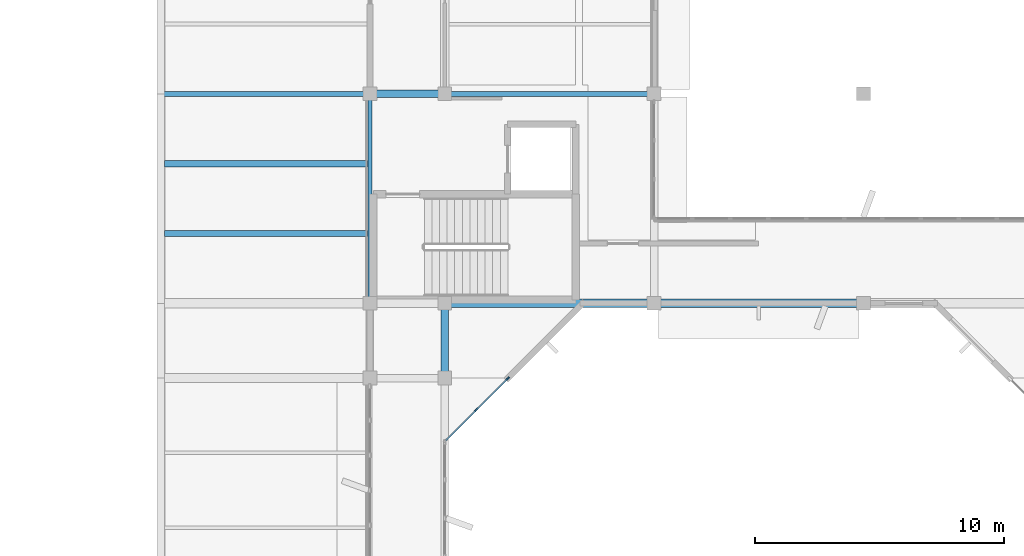
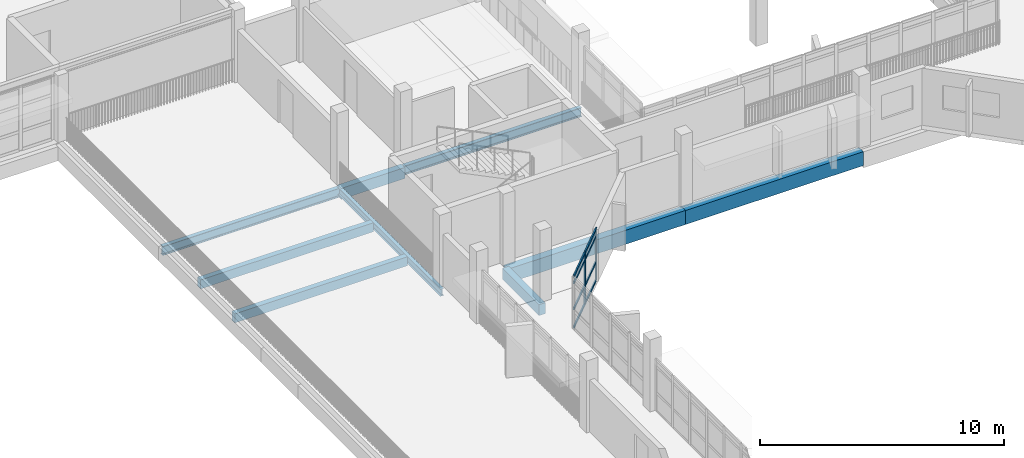
# One storey, part 28 of 92: 10 members, 9 beams, 1 element without a shape of its own.
"""IFC4 building model written with IfcOpenShell, lengths in metres."""

from ifc_helpers import new_model, si_unit, direction, frame, origin, origin_2d, place, context, subcontext, project, spatial, rectangle, i_section, extrude, material, material_profile, profile_set, type_object, element, aggregate, save


model = new_model("IFC4")

# Units and contexts
model_context = context("Model", 3, precision=1e-05, world=origin(), true_north=direction((0.0, 1.0)))
body_context = subcontext(model_context, "Body", "Model", "MODEL_VIEW")
ifc_project = project(units=[si_unit("LENGTHUNIT", "METRE"), si_unit("AREAUNIT", "SQUARE_METRE"), si_unit("VOLUMEUNIT", "CUBIC_METRE"), si_unit("PLANEANGLEUNIT", "RADIAN"), si_unit("MASSUNIT", "GRAM", prefix="KILO")], contexts=[model_context])

# Site, building, storey
site_placement = place(None, origin())
site = spatial("IfcSite", under=ifc_project, at=site_placement, CompositionType="ELEMENT")
building_placement = place(site_placement, origin())
building = spatial("IfcBuilding", under=site, at=building_placement, Name="Vanh Quang Courtyard School", CompositionType="ELEMENT")
storey_placement = place(building_placement, frame((0.0, 0.0, 7.800048828125)))
storey = spatial("IfcBuildingStorey", under=building, at=storey_placement, Name="L02", CompositionType="ELEMENT", Elevation=7.800048828125)

# Beams
ifc_material_1 = material(Name="Concrete C35/45", Category="concrete")
ifc_material_profile_1 = material_profile(ifc_material_1, rectangle(XDim=0.300048828125, YDim=0.550048828125, at=origin_2d()), Name="RC-BM 300x550")
ifc_profile_set_1 = profile_set([ifc_material_profile_1], Name="Concrete C35/45")
beam_type_1 = type_object("IfcBeamType", Name="BM-RC-300x550", PredefinedType="BEAM", material=ifc_profile_set_1)
for number, where, z_axis, x_axis, name in (
    (1, (37.800048828125, 79.800048828125, -0.594970703125), (1.0, 0.0, 0.0), (0.0, 1.0, 0.0), "Beam B-07 (L02)"),
    (2, (40.800048828125, 68.39990234375, -0.574951171875), (0.0, 1.0, 0.0), (-1.0, 0.0, 0.0), "Beam B-07 (L02)"),
):
    element("IfcBeam", number, at=place(storey_placement, frame(where, z_axis=z_axis, x_axis=x_axis)), inside=storey, type_object=beam_type_1, Name=name, PredefinedType="BEAM", context=body_context, shape_type="SweptSolid", body=[
        extrude(rectangle(XDim=0.300048828125, YDim=0.550048828125, at=origin_2d()), origin(), (0.0, 0.0, 1.0), 3.0),
    ])
ifc_material_profile_2 = material_profile(ifc_material_1, rectangle(XDim=0.35009765625, YDim=0.699951171875, at=origin_2d()), Name="RC-BM 350x700")
ifc_profile_set_2 = profile_set([ifc_material_profile_2], Name="Concrete C35/45")
beam_type_2 = type_object("IfcBeamType", Name="BM-RC-350x700", PredefinedType="BEAM", material=ifc_profile_set_2)
beam_1_placement = place(storey_placement, frame((40.800048828125, 71.39990234375, -0.650146484375), z_axis=(1.0, 0.0, 0.0), x_axis=(0.0, 1.0, 0.0)))
element("IfcBeam", 3, at=beam_1_placement, inside=storey, type_object=beam_type_2, Name="Beam B-04 (L02)", PredefinedType="BEAM", context=body_context, shape_type="SweptSolid", body=[
    extrude(rectangle(XDim=0.35009765625, YDim=0.699951171875, at=origin_2d()), origin(), (0.0, 0.0, 1.0), 8.39990234375),
])
beam_2_placement = place(storey_placement, frame((49.199951171875, 71.39990234375, -0.650146484375), z_axis=(1.0, 0.0, 0.0), x_axis=(0.0, 1.0, 0.0)))
element("IfcBeam", 4, at=beam_2_placement, inside=storey, type_object=beam_type_2, Name="Beam B-04 (L02)", PredefinedType="BEAM", context=body_context, shape_type="SweptSolid", body=[
    extrude(rectangle(XDim=0.35009765625, YDim=0.699951171875, at=origin_2d()), origin(), (0.0, 0.0, 1.0), 8.400146484375),
])
ifc_material_2 = material(Name="Structural steel EN 10025-2 S355J2", Category="steel")
ifc_material_profile_3 = material_profile(ifc_material_2, i_section(OverallWidth=0.169921875, OverallDepth=0.360107421875, WebThickness=0.008056640625, FlangeThickness=0.0126953125, FilletRadius=0.01806640625, at=origin_2d()), Name="IPE 360")
ifc_profile_set_3 = profile_set([ifc_material_profile_3], Name="Structural steel EN 10025-2 S355J2")
beam_type_3 = type_object("IfcBeamType", Name="BM-STL-IPE360", PredefinedType="BEAM", material=ifc_profile_set_3)
beam_3_placement = place(storey_placement, frame((37.800048828125, 71.39990234375, -0.5), z_axis=(0.0, 1.0, 0.0), x_axis=(-1.0, 0.0, 0.0)))
element("IfcBeam", 5, at=beam_3_placement, inside=storey, type_object=beam_type_3, Name="Beam SB-06 (L02)", PredefinedType="BEAM", context=body_context, shape_type="SweptSolid", body=[
    extrude(i_section(OverallWidth=0.169921875, OverallDepth=0.360107421875, WebThickness=0.008056640625, FlangeThickness=0.0126953125, FilletRadius=0.01806640625, at=origin_2d()), origin(), (0.0, 0.0, 1.0), 8.400146484375),
])
ifc_material_profile_4 = material_profile(ifc_material_2, i_section(OverallWidth=0.18994140625, OverallDepth=0.449951171875, WebThickness=0.009521484375, FlangeThickness=0.0146484375, FilletRadius=0.02099609375, at=origin_2d()), Name="IPE 450")
ifc_profile_set_4 = profile_set([ifc_material_profile_4], Name="Structural steel EN 10025-2 S355J2")
beam_type_4 = type_object("IfcBeamType", Name="BM-STL-IPE450", PredefinedType="BEAM", material=ifc_profile_set_4)
beam_4_placement = place(storey_placement, frame((29.39990234375, 79.800048828125, -0.545166015625), z_axis=(1.0, 0.0, 0.0), x_axis=(0.0, 1.0, 0.0)))
element("IfcBeam", 6, at=beam_4_placement, inside=storey, type_object=beam_type_4, Name="Beam SB-04 (L02)", PredefinedType="BEAM", context=body_context, shape_type="SweptSolid", body=[
    extrude(i_section(OverallWidth=0.18994140625, OverallDepth=0.449951171875, WebThickness=0.009521484375, FlangeThickness=0.0146484375, FilletRadius=0.02099609375, at=origin_2d()), origin(), (0.0, 0.0, 1.0), 8.400146484375),
])
beam_5_placement = place(storey_placement, frame((40.800048828125, 79.800048828125, -0.525146484375), z_axis=(1.0, 0.0, 0.0), x_axis=(0.0, 1.0, 0.0)))
element("IfcBeam", 7, at=beam_5_placement, inside=storey, type_object=beam_type_4, Name="Beam SB-04 (L02)", PredefinedType="BEAM", context=body_context, shape_type="SweptSolid", body=[
    extrude(i_section(OverallWidth=0.18994140625, OverallDepth=0.449951171875, WebThickness=0.009521484375, FlangeThickness=0.0146484375, FilletRadius=0.02099609375, at=origin_2d()), origin(), (0.0, 0.0, 1.0), 8.39990234375),
])

# Curtain wall, members
ifc_material_3 = material(Name="Thermally broken aluminium unitised curtain wall", Category="aluminium")
curtain_wall_type = type_object("IfcCurtainWallType", Name="CW-SYS-41", PredefinedType="NOTDEFINED", material=ifc_material_3)
curtain_wall_placement = place(storey_placement, origin())
curtain_wall = element("IfcCurtainWall", 8, at=curtain_wall_placement, inside=storey, type_object=curtain_wall_type, Name="Curtain Wall CW-41 (L02)", PredefinedType="NOTDEFINED")
ifc_material_4 = material(Name="Anodised aluminium 6063-T6", Category="aluminium")
ifc_material_profile_5 = material_profile(ifc_material_4, rectangle(XDim=0.06005859375, YDim=0.159912109375, at=origin_2d()), Name="ALU-MUL 60x160")
ifc_profile_set_5 = profile_set([ifc_material_profile_5], Name="Anodised aluminium 6063-T6")
member_type_1 = type_object("IfcMemberType", Name="CW-MUL-60x160", PredefinedType="MULLION", material=ifc_profile_set_5)
member_1_placement = place(storey_placement, frame((43.32275390625, 68.37890625, 0.0), z_axis=(0.0, 0.0, 1.0), x_axis=(0.707106781187, -0.707106781187, 0.0)))
member_1 = element("IfcMember", 9, at=member_1_placement, type_object=member_type_1, Name="CW-41 mullion 1", PredefinedType="MULLION", context=body_context, shape_type="SweptSolid", body=[
    extrude(rectangle(XDim=0.06005859375, YDim=0.159912109375, at=origin_2d()), origin(), (0.0, 0.0, 1.0), 2.599853515625),
])
member_2_placement = place(storey_placement, frame((42.072021484375, 67.1279296875, 0.0), z_axis=(0.0, 0.0, 1.0), x_axis=(0.707106781187, -0.707106781187, 0.0)))
member_2 = element("IfcMember", 10, at=member_2_placement, type_object=member_type_1, Name="CW-41 mullion 2", PredefinedType="MULLION", context=body_context, shape_type="SweptSolid", body=[
    extrude(rectangle(XDim=0.06005859375, YDim=0.159912109375, at=origin_2d()), origin(), (0.0, 0.0, 1.0), 2.599853515625),
])
ifc_material_profile_6 = material_profile(ifc_material_4, rectangle(XDim=0.06005859375, YDim=0.1201171875, at=origin_2d()), Name="ALU-TRN 60x120")
ifc_profile_set_6 = profile_set([ifc_material_profile_6], Name="Anodised aluminium 6063-T6")
member_type_2 = type_object("IfcMemberType", Name="CW-TRN-60x120", PredefinedType="USERDEFINED", material=ifc_profile_set_6)
member_3_placement = place(storey_placement, frame((43.301513671875, 68.357666015625, 0.030029296875), z_axis=(-0.707035345436, -0.707178209721, 0.0), x_axis=(0.707178209721, -0.707035345436, 0.0)))
member_3 = element("IfcMember", 11, at=member_3_placement, type_object=member_type_2, Name="CW-41 transom 1.1", ObjectType="TRANSOM", PredefinedType="USERDEFINED", context=body_context, shape_type="SweptSolid", body=[
    extrude(rectangle(XDim=0.06005859375, YDim=0.1201171875, at=origin_2d()), origin(), (0.0, 0.0, 1.0), 1.708984375),
])
member_4_placement = place(storey_placement, frame((43.301513671875, 68.357666015625, 0.949951171875), z_axis=(-0.707035345436, -0.707178209721, 0.0), x_axis=(0.707178209721, -0.707035345436, 0.0)))
member_4 = element("IfcMember", 12, at=member_4_placement, type_object=member_type_2, Name="CW-41 transom 1.2", ObjectType="TRANSOM", PredefinedType="USERDEFINED", context=body_context, shape_type="SweptSolid", body=[
    extrude(rectangle(XDim=0.06005859375, YDim=0.1201171875, at=origin_2d()), origin(), (0.0, 0.0, 1.0), 1.708984375),
])
member_5_placement = place(storey_placement, frame((43.301513671875, 68.357666015625, 2.25), z_axis=(-0.707035345436, -0.707178209721, 0.0), x_axis=(0.707178209721, -0.707035345436, 0.0)))
member_5 = element("IfcMember", 13, at=member_5_placement, type_object=member_type_2, Name="CW-41 transom 1.3", ObjectType="TRANSOM", PredefinedType="USERDEFINED", context=body_context, shape_type="SweptSolid", body=[
    extrude(rectangle(XDim=0.06005859375, YDim=0.1201171875, at=origin_2d()), origin(), (0.0, 0.0, 1.0), 1.708984375),
])
member_6_placement = place(storey_placement, frame((43.301513671875, 68.357666015625, 2.570068359375), z_axis=(-0.707035345436, -0.707178209721, 0.0), x_axis=(0.707178209721, -0.707035345436, 0.0)))
member_6 = element("IfcMember", 14, at=member_6_placement, type_object=member_type_2, Name="CW-41 transom 1.4", ObjectType="TRANSOM", PredefinedType="USERDEFINED", context=body_context, shape_type="SweptSolid", body=[
    extrude(rectangle(XDim=0.06005859375, YDim=0.1201171875, at=origin_2d()), origin(), (0.0, 0.0, 1.0), 1.708984375),
])
member_7_placement = place(storey_placement, frame((42.05078125, 67.106689453125, 0.030029296875), z_axis=(-0.707106781187, -0.707106781187, 0.0), x_axis=(0.707106781187, -0.707106781187, 0.0)))
member_7 = element("IfcMember", 15, at=member_7_placement, type_object=member_type_2, Name="CW-41 transom 2.1", ObjectType="TRANSOM", PredefinedType="USERDEFINED", context=body_context, shape_type="SweptSolid", body=[
    extrude(rectangle(XDim=0.06005859375, YDim=0.1201171875, at=origin_2d()), origin(), (0.0, 0.0, 1.0), 1.708740234375),
])
member_8_placement = place(storey_placement, frame((42.05078125, 67.106689453125, 0.949951171875), z_axis=(-0.707106781187, -0.707106781187, 0.0), x_axis=(0.707106781187, -0.707106781187, 0.0)))
member_8 = element("IfcMember", 16, at=member_8_placement, type_object=member_type_2, Name="CW-41 transom 2.2", ObjectType="TRANSOM", PredefinedType="USERDEFINED", context=body_context, shape_type="SweptSolid", body=[
    extrude(rectangle(XDim=0.06005859375, YDim=0.1201171875, at=origin_2d()), origin(), (0.0, 0.0, 1.0), 1.708740234375),
])
member_9_placement = place(storey_placement, frame((42.05078125, 67.106689453125, 2.25), z_axis=(-0.707106781187, -0.707106781187, 0.0), x_axis=(0.707106781187, -0.707106781187, 0.0)))
member_9 = element("IfcMember", 17, at=member_9_placement, type_object=member_type_2, Name="CW-41 transom 2.3", ObjectType="TRANSOM", PredefinedType="USERDEFINED", context=body_context, shape_type="SweptSolid", body=[
    extrude(rectangle(XDim=0.06005859375, YDim=0.1201171875, at=origin_2d()), origin(), (0.0, 0.0, 1.0), 1.708740234375),
])
member_10_placement = place(storey_placement, frame((42.05078125, 67.106689453125, 2.570068359375), z_axis=(-0.707106781187, -0.707106781187, 0.0), x_axis=(0.707106781187, -0.707106781187, 0.0)))
member_10 = element("IfcMember", 18, at=member_10_placement, type_object=member_type_2, Name="CW-41 transom 2.4", ObjectType="TRANSOM", PredefinedType="USERDEFINED", context=body_context, shape_type="SweptSolid", body=[
    extrude(rectangle(XDim=0.06005859375, YDim=0.1201171875, at=origin_2d()), origin(), (0.0, 0.0, 1.0), 1.708740234375),
])
aggregate(curtain_wall, [member_1, member_2, member_3, member_4, member_5, member_6, member_7, member_8, member_9, member_10])

# Beams
ifc_material_5 = material(Name="Concrete C30/37", Category="concrete")
ifc_material_profile_7 = material_profile(ifc_material_5, rectangle(XDim=0.25, YDim=0.449951171875, at=origin_2d()), Name="RC-JST 250x450")
ifc_profile_set_7 = profile_set([ifc_material_profile_7], Name="Concrete C30/37")
beam_type_5 = type_object("IfcBeamType", Name="JST-RC-250x450", PredefinedType="JOIST", material=ifc_profile_set_7)
for number, where, z_axis, x_axis, name in (
    (19, (29.550048828125, 74.199951171875, -0.545166015625), (1.0, 0.0, 0.0), (0.0, 1.0, 0.0), "Beam BJ-02 (L02)"),
    (20, (29.550048828125, 77.0, -0.545166015625), (1.0, 0.0, 0.0), (0.0, 1.0, 0.0), "Beam BJ-02 (L02)"),
):
    element("IfcBeam", number, at=place(storey_placement, frame(where, z_axis=z_axis, x_axis=x_axis)), inside=storey, type_object=beam_type_5, Name=name, PredefinedType="JOIST", context=body_context, shape_type="SweptSolid", body=[
        extrude(rectangle(XDim=0.25, YDim=0.449951171875, at=origin_2d()), origin(), (0.0, 0.0, 1.0), 8.1650390625),
    ])

save(model, "model.ifc")
